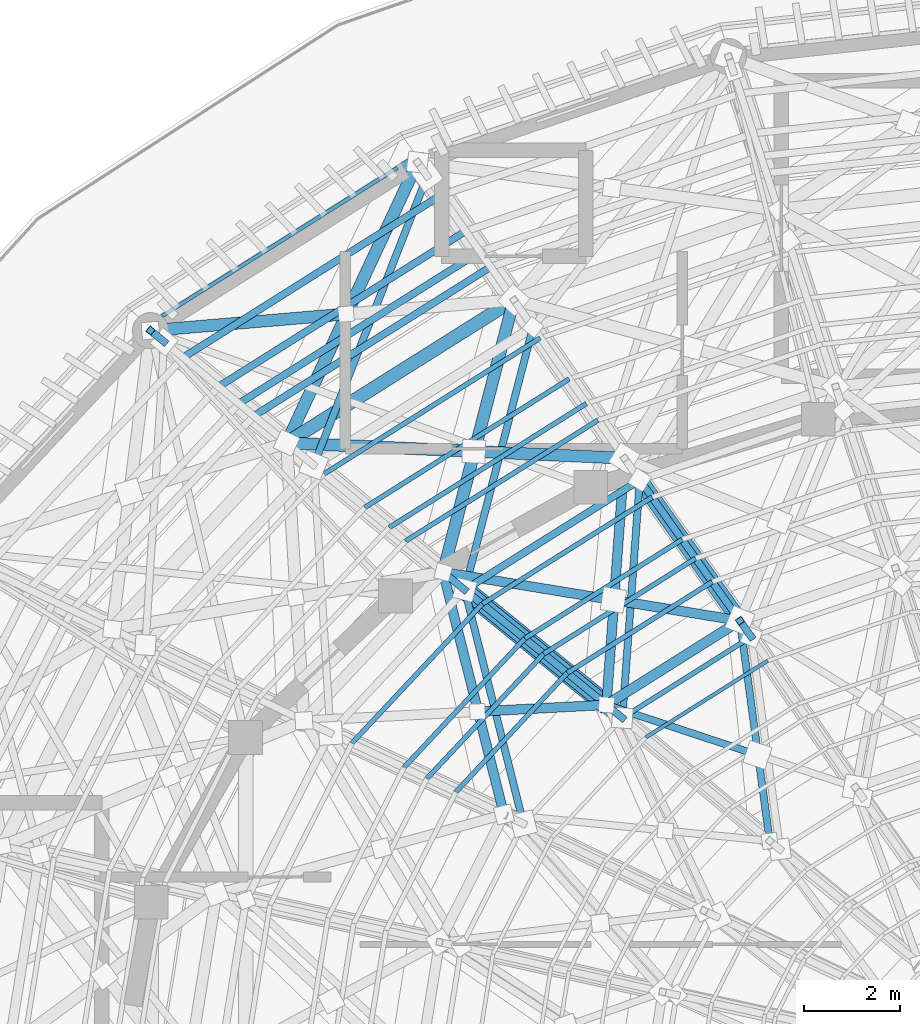
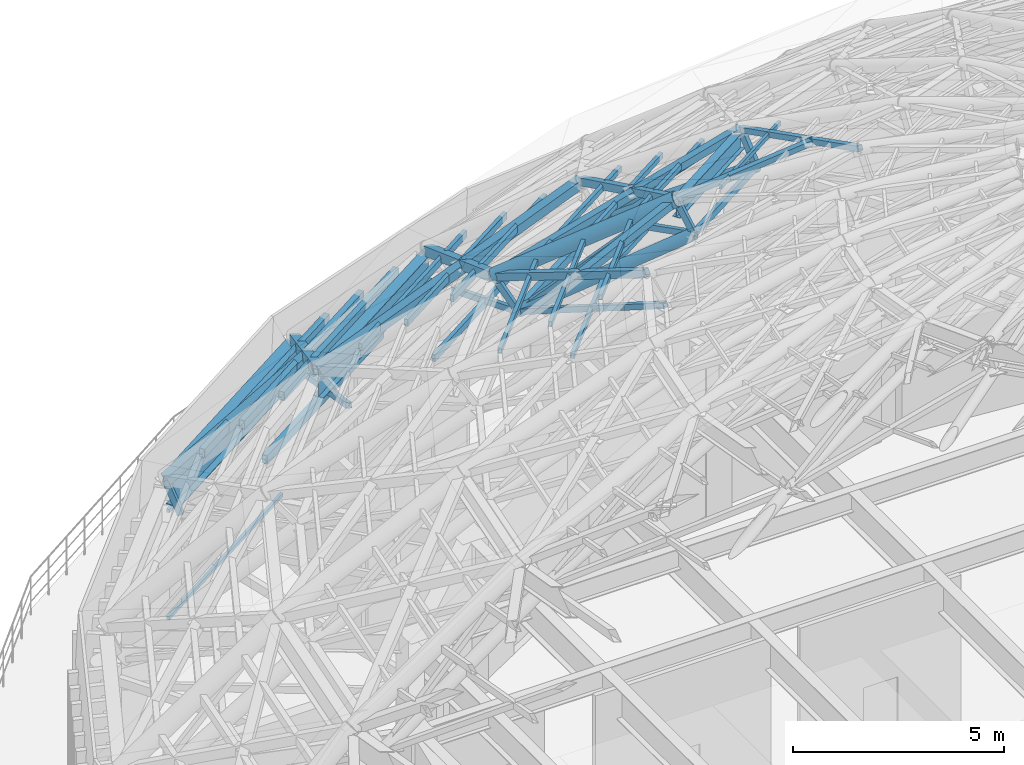
# One storey, part 27 of 50: 46 members, 3 beams.
"""IFC4 building model written with IfcOpenShell, lengths in metres."""

from ifc_helpers import new_model, si_unit, direction, frame, origin, origin_2d, place, context, subcontext, project, spatial, rectangle, hollow_rectangle, hollow_circle, i_section, extrude, material, material_profile, profile_set, type_object, element, save


model = new_model("IFC4")

# Units and contexts
model_context = context("Model", 3, precision=1e-05, world=origin(), true_north=direction((0.0, 1.0)))
body_context = subcontext(model_context, "Body", "Model", "MODEL_VIEW")
ifc_project = project(units=[si_unit("LENGTHUNIT", "METRE"), si_unit("AREAUNIT", "SQUARE_METRE"), si_unit("VOLUMEUNIT", "CUBIC_METRE"), si_unit("PLANEANGLEUNIT", "RADIAN"), si_unit("MASSUNIT", "GRAM", prefix="KILO")], contexts=[model_context])

# Site, building, storey
site_placement = place(None, origin())
site = spatial("IfcSite", under=ifc_project, at=site_placement, CompositionType="ELEMENT")
building_placement = place(site_placement, origin())
building = spatial("IfcBuilding", under=site, at=building_placement, Name="Cinderbank Siding Concert Hall", CompositionType="ELEMENT")
storey_placement = place(building_placement, frame((0.0, 0.0, 23.699951171875)))
storey = spatial("IfcBuildingStorey", under=building, at=storey_placement, Name="L06", CompositionType="ELEMENT", Elevation=23.699951171875)

# Beams
ifc_material_1 = material(Name="Structural steel AS/NZS 3679.1 Grade 350 (340 MPa)", Category="steel")
ifc_material_profile_1 = material_profile(ifc_material_1, i_section(OverallWidth=0.208984375, OverallDepth=0.532958984375, WebThickness=0.01025390625, FlangeThickness=0.015625, at=origin_2d()), Name="530UB92.4", Category="LoadBearing")
ifc_profile_set_1 = profile_set([ifc_material_profile_1], Name="Structural steel AS/NZS 3679.1 Grade 350 (340 MPa)")
beam_type_1 = type_object("IfcBeamType", Name="BM-UB530H 530UB92.4", PredefinedType="BEAM", material=ifc_profile_set_1)
beam_1_placement = place(storey_placement, frame((115.300048828125, 53.5263671875, 13.733642578125), z_axis=(-0.846132136799, -0.532973176694, 0.0), x_axis=(0.532973176694, -0.846132136799, 0.0)))
element("IfcBeam", 1, at=beam_1_placement, inside=storey, type_object=beam_type_1, Name="L06 Beam BM-UB530H #2079", PredefinedType="BEAM", context=body_context, shape_type="SweptSolid", body=[
    extrude(i_section(OverallWidth=0.208984375, OverallDepth=0.532958984375, WebThickness=0.01025390625, FlangeThickness=0.015625, at=origin_2d()), origin(), (0.0, 0.0, 1.0), 3.27978515625),
])
ifc_material_2 = material(Name="Structural steel welded plate section AS/NZS 3679.2 / AS/NZS 3678 Grade 350 (340 MPa)", Category="steel")
ifc_material_profile_2 = material_profile(ifc_material_2, i_section(OverallWidth=0.35009765625, OverallDepth=1.0, WebThickness=0.013916015625, FlangeThickness=0.02490234375, at=origin_2d()), Name="1000WB258", Category="LoadBearing")
ifc_profile_set_2 = profile_set([ifc_material_profile_2], Name="Structural steel welded plate section AS/NZS 3679.2 / AS/NZS 3678 Grade 350 (340 MPa)")
beam_type_2 = type_object("IfcBeamType", Name="BM-WB1000 1000WB258", PredefinedType="BEAM", material=ifc_profile_set_2)
beam_2_placement = place(storey_placement, frame((108.515380859375, 62.999267578125, 4.0), z_axis=(-0.846129105175, -0.532977989578, 0.0), x_axis=(0.532977989578, -0.846129105175, 0.0)))
element("IfcBeam", 2, at=beam_2_placement, inside=storey, type_object=beam_type_2, Name="L06 Beam BM-WB1000 #824", PredefinedType="BEAM", context=body_context, shape_type="SweptSolid", body=[
    extrude(i_section(OverallWidth=0.35009765625, OverallDepth=1.0, WebThickness=0.013916015625, FlangeThickness=0.02490234375, at=origin_2d()), origin(), (0.0, 0.0, 1.0), 6.0927734375),
])
ifc_material_profile_3 = material_profile(ifc_material_2, i_section(OverallWidth=0.27490234375, OverallDepth=0.800048828125, WebThickness=0.010009765625, FlangeThickness=0.01611328125, at=origin_2d()), Name="800WB146", Category="LoadBearing")
ifc_profile_set_3 = profile_set([ifc_material_profile_3], Name="Structural steel welded plate section AS/NZS 3679.2 / AS/NZS 3678 Grade 350 (340 MPa)")
beam_type_3 = type_object("IfcBeamType", Name="BM-WB800 800WB146", PredefinedType="BEAM", material=ifc_profile_set_3)
beam_3_placement = place(storey_placement, frame((110.60009765625, 60.194580078125, 7.699951171875), z_axis=(-0.846357040172, -0.532615959723, 0.0), x_axis=(0.532615959723, -0.846357040172, 0.0)))
element("IfcBeam", 3, at=beam_3_placement, inside=storey, type_object=beam_type_3, Name="L06 Beam BM-WB800 #2041", PredefinedType="BEAM", context=body_context, shape_type="SweptSolid", body=[
    extrude(i_section(OverallWidth=0.27490234375, OverallDepth=0.800048828125, WebThickness=0.010009765625, FlangeThickness=0.01611328125, at=origin_2d()), origin(), (0.0, 0.0, 1.0), 5.579345703125),
])

# Members
ifc_material_3 = material(Name="Structural steel hollow section AS/NZS 1163 Grade C350L0 (350 MPa)", Category="steel")
ifc_material_profile_4 = material_profile(ifc_material_3, hollow_rectangle(XDim=0.14990234375, YDim=0.14990234375, WallThickness=0.008056640625, at=origin_2d()), Name="150x150x8.0SHS", Category="LoadBearing")
ifc_profile_set_4 = profile_set([ifc_material_profile_4], Name="Structural steel hollow section AS/NZS 1163 Grade C350L0 (350 MPa)")
member_type_1 = type_object("IfcMemberType", Name="BR-SHS150 150x150x8.0SHS Roof Truss", PredefinedType="BRACE", material=ifc_profile_set_4)
member_1_placement = place(storey_placement, frame((108.801025390625, 62.766845703125, 3.550048828125), z_axis=(-0.319214358901, -0.812870015153, 0.48718018385), x_axis=(0.930801146267, -0.365525958187, 0.0)))
element("IfcMember", 4, at=member_1_placement, inside=storey, type_object=member_type_1, Name="L06 Diagonal Brace BR-SHS150 #DBRI-BR-SHS150-L06-0635", PredefinedType="BRACE", context=body_context, shape_type="SweptSolid", body=[
    extrude(hollow_rectangle(XDim=0.14990234375, YDim=0.14990234375, WallThickness=0.008056640625, at=origin_2d()), origin(), (0.0, 0.0, 1.0), 7.3896484375),
])
member_2_placement = place(storey_placement, frame((103.333740234375, 59.322998046875, 3.550048828125), z_axis=(-0.27897780154, 0.229126098172, 0.932562393293), x_axis=(-0.63468279093, -0.772772770546, 0.0)))
element("IfcMember", 5, at=member_2_placement, inside=storey, type_object=member_type_1, Name="L06 Diagonal Brace BR-SHS150 #DWBV-BR-SHS150-L06-0641", PredefinedType="BRACE", context=body_context, shape_type="SweptSolid", body=[
    extrude(hollow_rectangle(XDim=0.14990234375, YDim=0.14990234375, WallThickness=0.008056640625, at=origin_2d()), origin(), (0.0, 0.0, 1.0), 1.0185546875),
])
member_3_placement = place(storey_placement, frame((110.9990234375, 59.6279296875, 7.150146484375), z_axis=(-0.218609609526, -0.841918000325, 0.493339557862), x_axis=(0.967903390701, -0.251322554238, 0.0)))
element("IfcMember", 6, at=member_3_placement, inside=storey, type_object=member_type_1, Name="L06 Diagonal Brace BR-SHS150 #DBRI-BR-SHS150-L06-0923", PredefinedType="BRACE", context=body_context, shape_type="SweptSolid", body=[
    extrude(hollow_rectangle(XDim=0.14990234375, YDim=0.14990234375, WallThickness=0.008056640625, at=origin_2d()), origin(), (0.0, 0.0, 1.0), 6.486328125),
])
member_4_placement = place(storey_placement, frame((113.218505859375, 56.4521484375, 10.35009765625), z_axis=(0.406548227024, -0.57143724521, 0.712866056065), x_axis=(0.814825428758, 0.579706409011, 0.0)))
element("IfcMember", 7, at=member_4_placement, inside=storey, type_object=member_type_1, Name="L06 Diagonal Brace BR-SHS150 #DWBD-BR-SHS150-L06-1202", PredefinedType="BRACE", context=body_context, shape_type="SweptSolid", body=[
    extrude(hollow_rectangle(XDim=0.14990234375, YDim=0.14990234375, WallThickness=0.008056640625, at=origin_2d()), origin(), (0.0, 0.0, 1.0), 5.1201171875),
])
member_5_placement = place(storey_placement, frame((113.218505859375, 56.4521484375, 10.35009765625), z_axis=(-0.064117576475, -0.87594207645, 0.478136397999), x_axis=(0.997331713368, -0.073003106166, 0.0)))
element("IfcMember", 8, at=member_5_placement, inside=storey, type_object=member_type_1, Name="L06 Diagonal Brace BR-SHS150 #DBRI-BR-SHS150-L06-1211", PredefinedType="BRACE", context=body_context, shape_type="SweptSolid", body=[
    extrude(hollow_rectangle(XDim=0.14990234375, YDim=0.14990234375, WallThickness=0.008056640625, at=origin_2d()), origin(), (0.0, 0.0, 1.0), 5.646728515625),
])
member_6_placement = place(storey_placement, frame((109.5810546875, 54.1669921875, 10.35009765625), z_axis=(0.559402260271, -0.45390543328, 0.693569728898), x_axis=(0.630083355632, 0.776527504314, 0.0)))
element("IfcMember", 9, at=member_6_placement, inside=storey, type_object=member_type_1, Name="L06 Diagonal Brace BR-SHS150 #DWBD-BR-SHS150-L06-1214", PredefinedType="BRACE", context=body_context, shape_type="SweptSolid", body=[
    extrude(hollow_rectangle(XDim=0.14990234375, YDim=0.14990234375, WallThickness=0.008056640625, at=origin_2d()), origin(), (0.0, 0.0, 1.0), 5.262451171875),
])
member_7_placement = place(storey_placement, frame((109.5810546875, 54.1669921875, 10.35009765625), z_axis=(-0.404280440723, 0.331093629232, 0.852604441655), x_axis=(-0.633603073906, -0.773658286801, 0.0)))
element("IfcMember", 10, at=member_7_placement, inside=storey, type_object=member_type_1, Name="L06 Diagonal Brace BR-SHS150 #DWBV-BR-SHS150-L06-1217", PredefinedType="BRACE", context=body_context, shape_type="SweptSolid", body=[
    extrude(hollow_rectangle(XDim=0.14990234375, YDim=0.14990234375, WallThickness=0.008056640625, at=origin_2d()), origin(), (0.0, 0.0, 1.0), 1.1142578125),
])
member_8_placement = place(storey_placement, frame((109.5810546875, 54.1669921875, 10.35009765625), z_axis=(0.214436675536, -0.853800278028, 0.474385916133), x_axis=(0.969878223295, 0.24359029533, 0.0)))
element("IfcMember", 11, at=member_8_placement, inside=storey, type_object=member_type_1, Name="L06 Diagonal Brace BR-SHS150 #DBRI-BR-SHS150-L06-1223", PredefinedType="BRACE", context=body_context, shape_type="SweptSolid", body=[
    extrude(hollow_rectangle(XDim=0.14990234375, YDim=0.14990234375, WallThickness=0.008056640625, at=origin_2d()), origin(), (0.0, 0.0, 1.0), 5.69140625),
])
member_9_placement = place(storey_placement, frame((115.534423828125, 53.19287109375, 13.050048828125), z_axis=(-0.226731640605, 0.322620230278, 0.918971680828), x_axis=(-0.81816123583, -0.574988862662, 0.0)))
element("IfcMember", 12, at=member_9_placement, inside=storey, type_object=member_type_1, Name="L06 Diagonal Brace BR-SHS150 #DWBV-BR-SHS150-L06-1493", PredefinedType="BRACE", context=body_context, shape_type="SweptSolid", body=[
    extrude(hollow_rectangle(XDim=0.14990234375, YDim=0.14990234375, WallThickness=0.008056640625, at=origin_2d()), origin(), (0.0, 0.0, 1.0), 1.03369140625),
])
member_10_placement = place(storey_placement, frame((115.300048828125, 53.5263671875, 14.0), z_axis=(0.122973142336, -0.909370621789, 0.397394864702), x_axis=(0.990980101498, 0.13400909833, 0.0)))
element("IfcMember", 13, at=member_10_placement, inside=storey, type_object=member_type_1, Name="L06 Diagonal Brace BR-SHS150 #DBRO-BR-SHS150-L06-1497", PredefinedType="BRACE", context=body_context, shape_type="SweptSolid", body=[
    extrude(hollow_rectangle(XDim=0.14990234375, YDim=0.14990234375, WallThickness=0.008056640625, at=origin_2d()), origin(), (0.0, 0.0, 1.0), 5.03271484375),
])
member_11_placement = place(storey_placement, frame((112.52490234375, 51.7783203125, 14.0), z_axis=(0.891093847418, -0.29550697918, 0.344423257563), x_axis=(0.314766108589, 0.949169266719, 0.0)))
element("IfcMember", 14, at=member_11_placement, inside=storey, type_object=member_type_1, Name="L06 Diagonal Brace BR-SHS150 #DBRO-BR-SHS150-L06-1498", PredefinedType="BRACE", context=body_context, shape_type="SweptSolid", body=[
    extrude(hollow_rectangle(XDim=0.14990234375, YDim=0.14990234375, WallThickness=0.008056640625, at=origin_2d()), origin(), (0.0, 0.0, 1.0), 3.523681640625),
])
member_12_placement = place(storey_placement, frame((112.8564453125, 51.505859375, 13.050048828125), z_axis=(-0.318062435065, 0.261382678596, 0.911326167039), x_axis=(-0.634909259299, -0.772586715169, 0.0)))
element("IfcMember", 15, at=member_12_placement, inside=storey, type_object=member_type_1, Name="L06 Diagonal Brace BR-SHS150 #DWBV-BR-SHS150-L06-1505", PredefinedType="BRACE", context=body_context, shape_type="SweptSolid", body=[
    extrude(hollow_rectangle(XDim=0.14990234375, YDim=0.14990234375, WallThickness=0.008056640625, at=origin_2d()), origin(), (0.0, 0.0, 1.0), 1.04248046875),
])
ifc_material_profile_5 = material_profile(ifc_material_3, hollow_rectangle(XDim=0.199951171875, YDim=0.199951171875, WallThickness=0.009033203125, at=origin_2d()), Name="200x200x9.0SHS", Category="LoadBearing")
ifc_profile_set_5 = profile_set([ifc_material_profile_5], Name="Structural steel hollow section AS/NZS 1163 Grade C350L0 (350 MPa)")
member_type_2 = type_object("IfcMemberType", Name="BR-SHS200 200x200x9.0SHS Roof Truss", PredefinedType="BRACE", material=ifc_profile_set_5)
member_13_placement = place(storey_placement, frame((112.89990234375, 56.90380859375, 11.300048828125), z_axis=(-0.064596640032, -0.882904857307, 0.465087397207), x_axis=(0.997334229545, -0.072968723282, 0.0)))
element("IfcMember", 16, at=member_13_placement, inside=storey, type_object=member_type_2, Name="L06 Diagonal Brace BR-SHS200 #DBRO-BR-SHS200-L06-1209", PredefinedType="BRACE", context=body_context, shape_type="SweptSolid", body=[
    extrude(hollow_rectangle(XDim=0.199951171875, YDim=0.199951171875, WallThickness=0.009033203125, at=origin_2d()), origin(), (0.0, 0.0, 1.0), 5.80517578125),
])
member_14_placement = place(storey_placement, frame((109.130615234375, 54.535888671875, 11.300048828125), z_axis=(0.905988027442, -0.148227590088, 0.396502554429), x_axis=(0.161462050118, 0.98687892184, 0.0)))
element("IfcMember", 17, at=member_14_placement, inside=storey, type_object=member_type_2, Name="L06 Diagonal Brace BR-SHS200 #DBRO-BR-SHS200-L06-1210", PredefinedType="BRACE", context=body_context, shape_type="SweptSolid", body=[
    extrude(hollow_rectangle(XDim=0.199951171875, YDim=0.199951171875, WallThickness=0.009033203125, at=origin_2d()), origin(), (0.0, 0.0, 1.0), 3.90673828125),
])
member_15_placement = place(storey_placement, frame((112.697265625, 53.9521484375, 12.86083984375), z_axis=(0.905983058985, -0.148206965094, 0.396521616473), x_axis=(0.16144103148, 0.986882360443, 0.0)))
element("IfcMember", 18, at=member_15_placement, inside=storey, type_object=member_type_2, Name="L06 Diagonal Brace BR-SHS200 #DBRO-BR-SHS200-L06-1210-S113", PredefinedType="BRACE", context=body_context, shape_type="SweptSolid", body=[
    extrude(hollow_rectangle(XDim=0.199951171875, YDim=0.199951171875, WallThickness=0.009033203125, at=origin_2d()), origin(), (0.0, 0.0, 1.0), 2.872802734375),
])
member_16_placement = place(storey_placement, frame((109.130615234375, 54.535888671875, 11.300048828125), z_axis=(0.216094791752, -0.860499472872, 0.461349865249), x_axis=(0.969884726621, 0.243564400247, 0.0)))
element("IfcMember", 19, at=member_16_placement, inside=storey, type_object=member_type_2, Name="L06 Diagonal Brace BR-SHS200 #DBRO-BR-SHS200-L06-1221", PredefinedType="BRACE", context=body_context, shape_type="SweptSolid", body=[
    extrude(hollow_rectangle(XDim=0.199951171875, YDim=0.199951171875, WallThickness=0.009033203125, at=origin_2d()), origin(), (0.0, 0.0, 1.0), 5.852294921875),
])
member_17_placement = place(storey_placement, frame((109.87158203125, 51.6396484375, 12.860595703125), z_axis=(0.917802828607, 0.047967611948, 0.39412824817), x_axis=(-0.052192293555, 0.998637053435, 0.0)))
element("IfcMember", 20, at=member_17_placement, inside=storey, type_object=member_type_2, Name="L06 Diagonal Brace BR-SHS200 #DBRO-BR-SHS200-L06-1222-S114", PredefinedType="BRACE", context=body_context, shape_type="SweptSolid", body=[
    extrude(hollow_rectangle(XDim=0.199951171875, YDim=0.199951171875, WallThickness=0.009033203125, at=origin_2d()), origin(), (0.0, 0.0, 1.0), 2.890869140625),
])
ifc_material_profile_6 = material_profile(ifc_material_3, hollow_rectangle(XDim=0.25, YDim=0.25, WallThickness=0.010009765625, at=origin_2d()), Name="250x250x10.0SHS", Category="LoadBearing")
ifc_profile_set_6 = profile_set([ifc_material_profile_6], Name="Structural steel hollow section AS/NZS 1163 Grade C350L0 (350 MPa)")
member_type_3 = type_object("IfcMemberType", Name="BR-SHS250 250x250x10.0SHS Roof Truss", PredefinedType="BRACE", material=ifc_profile_set_6)
member_18_placement = place(storey_placement, frame((108.60009765625, 63.052490234375, 4.5), z_axis=(-0.36922839474, -0.790711713866, 0.488308691376), x_axis=(0.906082293355, -0.42310149807, 0.0)))
element("IfcMember", 21, at=member_18_placement, inside=storey, type_object=member_type_3, Name="L06 Diagonal Brace BR-SHS250 #DBRO-BR-SHS250-L06-0633", PredefinedType="BRACE", context=body_context, shape_type="SweptSolid", body=[
    extrude(hollow_rectangle(XDim=0.25, YDim=0.25, WallThickness=0.010009765625, at=origin_2d()), origin(), (0.0, 0.0, 1.0), 7.37255859375),
])
member_19_placement = place(storey_placement, frame((103.049560546875, 59.556396484375, 4.5), z_axis=(0.900022083522, 0.076091695304, 0.429150676429), x_axis=(-0.084243714025, 0.996445179951, 0.0)))
element("IfcMember", 22, at=member_19_placement, inside=storey, type_object=member_type_3, Name="L06 Diagonal Brace BR-SHS250 #DBRO-BR-SHS250-L06-0634", PredefinedType="BRACE", context=body_context, shape_type="SweptSolid", body=[
    extrude(hollow_rectangle(XDim=0.25, YDim=0.25, WallThickness=0.010009765625, at=origin_2d()), origin(), (0.0, 0.0, 1.0), 4.517578125),
])
member_20_placement = place(storey_placement, frame((110.60009765625, 60.194580078125, 8.10009765625), z_axis=(-0.220483365495, -0.849038618616, 0.480125514462), x_axis=(0.96789650195, -0.251349082977, 0.0)))
element("IfcMember", 23, at=member_20_placement, inside=storey, type_object=member_type_3, Name="L06 Diagonal Brace BR-SHS250 #DBRO-BR-SHS250-L06-0921", PredefinedType="BRACE", context=body_context, shape_type="SweptSolid", body=[
    extrude(hollow_rectangle(XDim=0.25, YDim=0.25, WallThickness=0.010009765625, at=origin_2d()), origin(), (0.0, 0.0, 1.0), 6.664794921875),
])
member_21_placement = place(storey_placement, frame((105.8779296875, 57.222900390625, 8.10009765625), z_axis=(0.909202593145, -0.041298869279, 0.414300673443), x_axis=(0.045376388225, 0.998969961206, 0.0)))
element("IfcMember", 24, at=member_21_placement, inside=storey, type_object=member_type_3, Name="L06 Diagonal Brace BR-SHS250 #DBRO-BR-SHS250-L06-0922", PredefinedType="BRACE", context=body_context, shape_type="SweptSolid", body=[
    extrude(hollow_rectangle(XDim=0.25, YDim=0.25, WallThickness=0.010009765625, at=origin_2d()), origin(), (0.0, 0.0, 1.0), 4.280029296875),
])
member_22_placement = place(storey_placement, frame((109.79638671875, 57.044921875, 9.8857421875), z_axis=(0.909188573793, -0.041339757367, 0.414327360603), x_axis=(0.04542191957, 0.998967891988, 0.0)))
element("IfcMember", 25, at=member_22_placement, inside=storey, type_object=member_type_3, Name="L06 Diagonal Brace BR-SHS250 #DBRO-BR-SHS250-L06-0922-S89", PredefinedType="BRACE", context=body_context, shape_type="SweptSolid", body=[
    extrude(hollow_rectangle(XDim=0.25, YDim=0.25, WallThickness=0.010009765625, at=origin_2d()), origin(), (0.0, 0.0, 1.0), 3.41357421875),
])
ifc_material_profile_7 = material_profile(ifc_material_3, hollow_circle(Radius=0.161865234375, WallThickness=0.0126953125, at=origin_2d()), Name="323.9x12.7CHS", Category="LoadBearing")
ifc_profile_set_7 = profile_set([ifc_material_profile_7], Name="Structural steel hollow section AS/NZS 1163 Grade C350L0 (350 MPa)")
member_type_4 = type_object("IfcMemberType", Name="DR-CHS323 323.9x12.7CHS Roof Truss", PredefinedType="RAFTER", material=ifc_profile_set_7)
member_23_placement = place(storey_placement, frame((113.218505859375, 56.4521484375, 10.35009765625), z_axis=(0.480029640001, -0.675563535105, 0.55962974792), x_axis=(0.815166751467, 0.57922635239, 0.0)))
element("IfcMember", 26, at=member_23_placement, inside=storey, type_object=member_type_4, Name="L06 Roof Truss Member DR-CHS323 #1201", PredefinedType="RAFTER", context=body_context, shape_type="SweptSolid", body=[
    extrude(hollow_circle(Radius=0.161865234375, WallThickness=0.0126953125, at=origin_2d()), origin(), (0.0, 0.0, 1.0), 4.824462890625),
])
member_24_placement = place(storey_placement, frame((109.5810546875, 54.1669921875, 10.35009765625), z_axis=(0.653777773802, -0.531170075614, 0.53891833635), x_axis=(0.630575201595, 0.776128156385, 0.0)))
element("IfcMember", 27, at=member_24_placement, inside=storey, type_object=member_type_4, Name="L06 Roof Truss Member DR-CHS323 #1213", PredefinedType="RAFTER", context=body_context, shape_type="SweptSolid", body=[
    extrude(hollow_circle(Radius=0.161865234375, WallThickness=0.0126953125, at=origin_2d()), origin(), (0.0, 0.0, 1.0), 5.010009765625),
])
ifc_material_profile_8 = material_profile(ifc_material_3, hollow_circle(Radius=0.203125, WallThickness=0.01611328125, at=origin_2d()), Name="406.4x16.0CHS", Category="LoadBearing")
ifc_profile_set_8 = profile_set([ifc_material_profile_8], Name="Structural steel hollow section AS/NZS 1163 Grade C350L0 (350 MPa)")
member_type_5 = type_object("IfcMemberType", Name="DR-CHS406 406.4x16.0CHS Roof Truss", PredefinedType="RAFTER", material=ifc_profile_set_8)
member_25_placement = place(storey_placement, frame((109.130615234375, 54.535888671875, 11.300048828125), z_axis=(0.66042333152, -0.536537547977, 0.525327024619), x_axis=(0.630552692376, 0.776146443745, 0.0)))
element("IfcMember", 28, at=member_25_placement, inside=storey, type_object=member_type_5, Name="L06 Roof Truss Member DR-CHS406 #1212", PredefinedType="RAFTER", context=body_context, shape_type="SweptSolid", body=[
    extrude(hollow_circle(Radius=0.203125, WallThickness=0.01611328125, at=origin_2d()), origin(), (0.0, 0.0, 1.0), 5.1396484375),
])
ifc_material_4 = material(Name="Anodised aluminium alloy 6063-T6", Category="aluminium")
ifc_material_profile_9 = material_profile(ifc_material_4, rectangle(XDim=0.080078125, YDim=0.10009765625, at=origin_2d()), Name="ALU-RAIL-80x100", Category="LoadBearing")
ifc_profile_set_9 = profile_set([ifc_material_profile_9], Name="Anodised aluminium alloy 6063-T6")
member_type_6 = type_object("IfcMemberType", Name="LV-RL1 Carrier Rail 80x100", PredefinedType="STUD", material=ifc_profile_set_9)
for number, where, z_axis, x_axis, name in (
    (29, (108.18115234375, 62.939697265625, 0.219970703125), (-0.84612066394, -0.532991390225, 0.0), (0.532991390225, -0.84612066394, 0.0), "L06 Louvre Carrier Rail 09 BOT"),
    (30, (108.18115234375, 62.939697265625, 3.320068359375), (-0.84612066394, -0.532991390225, 0.0), (0.532991390225, -0.84612066394, 0.0), "L06 Louvre Carrier Rail 09 TOP"),
):
    element("IfcMember", number, at=place(storey_placement, frame(where, z_axis=z_axis, x_axis=x_axis)), inside=storey, type_object=member_type_6, Name=name, PredefinedType="STUD", context=body_context, shape_type="SweptSolid", body=[
        extrude(rectangle(XDim=0.080078125, YDim=0.10009765625, at=origin_2d()), origin(), (0.0, 0.0, 1.0), 5.77978515625),
    ])
ifc_material_profile_10 = material_profile(ifc_material_3, hollow_rectangle(XDim=0.074951171875, YDim=0.125, WallThickness=0.0048828125, at=origin_2d()), Name="125x75x5.0RHS", Category="LoadBearing")
ifc_profile_set_10 = profile_set([ifc_material_profile_10], Name="Structural steel hollow section AS/NZS 1163 Grade C350L0 (350 MPa)")
member_type_7 = type_object("IfcMemberType", Name="PR-RHS125 125x75x5.0RHS Roof Truss", PredefinedType="PURLIN", material=ifc_profile_set_10)
member_26_placement = place(storey_placement, frame((115.8759765625, 52.69482421875, 14.47998046875), z_axis=(-0.846484441665, -0.532413457775, 0.0), x_axis=(0.532413457775, -0.846484441665, 0.0)))
element("IfcMember", 31, at=member_26_placement, inside=storey, type_object=member_type_7, Name="L06 Roof Truss Member PR-RHS125 #1494", PredefinedType="PURLIN", context=body_context, shape_type="SweptSolid", body=[
    extrude(hollow_rectangle(XDim=0.074951171875, YDim=0.125, WallThickness=0.0048828125, at=origin_2d()), origin(), (0.0, 0.0, 1.0), 2.99658203125),
])
ifc_material_profile_11 = material_profile(ifc_material_3, hollow_rectangle(XDim=0.10009765625, YDim=0.14990234375, WallThickness=0.006103515625, at=origin_2d()), Name="150x100x6.0RHS", Category="LoadBearing")
ifc_profile_set_11 = profile_set([ifc_material_profile_11], Name="Structural steel hollow section AS/NZS 1163 Grade C350L0 (350 MPa)")
member_type_8 = type_object("IfcMemberType", Name="PR-RHS150 150x100x6.0RHS Roof Truss", PredefinedType="PURLIN", material=ifc_profile_set_11)
member_27_placement = place(storey_placement, frame((114.37646484375, 54.822509765625, 11.699951171875), z_axis=(-0.84648739404, -0.532408763763, 0.0), x_axis=(0.532408763763, -0.84648739404, 0.0)))
element("IfcMember", 32, at=member_27_placement, inside=storey, type_object=member_type_8, Name="L06 Roof Truss Member PR-RHS150 #1204", PredefinedType="PURLIN", context=body_context, shape_type="SweptSolid", body=[
    extrude(hollow_rectangle(XDim=0.10009765625, YDim=0.14990234375, WallThickness=0.006103515625, at=origin_2d()), origin(), (0.0, 0.0, 1.0), 3.73046875),
])
member_28_placement = place(storey_placement, frame((113.47607421875, 56.09326171875, 11.947998046875), z_axis=(-0.84664709978, -0.532154759853, 0.0), x_axis=(0.532154759853, -0.84664709978, 0.0)))
element("IfcMember", 33, at=member_28_placement, inside=storey, type_object=member_type_8, Name="L06 Roof Truss Member PR-RHS150 #1206", PredefinedType="PURLIN", context=body_context, shape_type="SweptSolid", body=[
    extrude(hollow_rectangle(XDim=0.10009765625, YDim=0.14990234375, WallThickness=0.006103515625, at=origin_2d()), origin(), (0.0, 0.0, 1.0), 4.170166015625),
])
member_29_placement = place(storey_placement, frame((114.10009765625, 55.215087890625, 12.650146484375), z_axis=(-0.8464869209, -0.532409516018, 0.0), x_axis=(0.532409516018, -0.8464869209, 0.0)))
element("IfcMember", 34, at=member_29_placement, inside=storey, type_object=member_type_8, Name="L06 Roof Truss Member PR-RHS150 #1207", PredefinedType="PURLIN", context=body_context, shape_type="SweptSolid", body=[
    extrude(hollow_rectangle(XDim=0.10009765625, YDim=0.14990234375, WallThickness=0.006103515625, at=origin_2d()), origin(), (0.0, 0.0, 1.0), 3.86572265625),
])
member_30_placement = place(storey_placement, frame((114.72412109375, 54.3369140625, 13.35205078125), z_axis=(-0.846318691941, -0.532676892376, 0.0), x_axis=(0.532676892376, -0.846318691941, 0.0)))
element("IfcMember", 35, at=member_30_placement, inside=storey, type_object=member_type_8, Name="L06 Roof Truss Member PR-RHS150 #1208", PredefinedType="PURLIN", context=body_context, shape_type="SweptSolid", body=[
    extrude(hollow_rectangle(XDim=0.10009765625, YDim=0.14990234375, WallThickness=0.006103515625, at=origin_2d()), origin(), (0.0, 0.0, 1.0), 3.561279296875),
])
member_31_placement = place(storey_placement, frame((111.21875, 52.83642578125, 11.699951171875), z_axis=(-0.683448492996, -0.729998737959, 0.0), x_axis=(0.729998737959, -0.683448492996, 0.0)))
element("IfcMember", 36, at=member_31_placement, inside=storey, type_object=member_type_8, Name="L06 Roof Truss Member PR-RHS150 #1216", PredefinedType="PURLIN", context=body_context, shape_type="SweptSolid", body=[
    extrude(hollow_rectangle(XDim=0.10009765625, YDim=0.14990234375, WallThickness=0.006103515625, at=origin_2d()), origin(), (0.0, 0.0, 1.0), 3.54541015625),
])
member_32_placement = place(storey_placement, frame((109.9453125, 53.8740234375, 11.947998046875), z_axis=(-0.683658272234, -0.729802279255, 0.0), x_axis=(0.729802279255, -0.683658272234, 0.0)))
element("IfcMember", 37, at=member_32_placement, inside=storey, type_object=member_type_8, Name="L06 Roof Truss Member PR-RHS150 #1218", PredefinedType="PURLIN", context=body_context, shape_type="SweptSolid", body=[
    extrude(hollow_rectangle(XDim=0.10009765625, YDim=0.14990234375, WallThickness=0.006103515625, at=origin_2d()), origin(), (0.0, 0.0, 1.0), 3.962890625),
])
member_33_placement = place(storey_placement, frame((110.827880859375, 53.156982421875, 12.650146484375), z_axis=(-0.68346572972, -0.729982599997, 0.0), x_axis=(0.729982599997, -0.68346572972, 0.0)))
element("IfcMember", 38, at=member_33_placement, inside=storey, type_object=member_type_8, Name="L06 Roof Truss Member PR-RHS150 #1219", PredefinedType="PURLIN", context=body_context, shape_type="SweptSolid", body=[
    extrude(hollow_rectangle(XDim=0.10009765625, YDim=0.14990234375, WallThickness=0.006103515625, at=origin_2d()), origin(), (0.0, 0.0, 1.0), 3.673828125),
])
member_34_placement = place(storey_placement, frame((111.710205078125, 52.43994140625, 13.35205078125), z_axis=(-0.683165814119, -0.730263288424, 0.0), x_axis=(0.730263288424, -0.683165814119, 0.0)))
element("IfcMember", 39, at=member_34_placement, inside=storey, type_object=member_type_8, Name="L06 Roof Truss Member PR-RHS150 #1220", PredefinedType="PURLIN", context=body_context, shape_type="SweptSolid", body=[
    extrude(hollow_rectangle(XDim=0.10009765625, YDim=0.14990234375, WallThickness=0.006103515625, at=origin_2d()), origin(), (0.0, 0.0, 1.0), 3.385009765625),
])
ifc_material_profile_12 = material_profile(ifc_material_3, hollow_rectangle(XDim=0.10009765625, YDim=0.199951171875, WallThickness=0.008056640625, at=origin_2d()), Name="200x100x8.0RHS", Category="LoadBearing")
ifc_profile_set_12 = profile_set([ifc_material_profile_12], Name="Structural steel hollow section AS/NZS 1163 Grade C350L0 (350 MPa)")
member_type_9 = type_object("IfcMemberType", Name="PR-RHS200 200x100x8.0RHS Roof Truss", PredefinedType="PURLIN", material=ifc_profile_set_12)
member_35_placement = place(storey_placement, frame((112.10888671875, 58.0400390625, 8.75), z_axis=(-0.846538481915, -0.532327529475, 0.0), x_axis=(0.532327529475, -0.846538481915, 0.0)))
element("IfcMember", 40, at=member_35_placement, inside=storey, type_object=member_type_9, Name="L06 Roof Truss Member PR-RHS200 #916", PredefinedType="PURLIN", context=body_context, shape_type="SweptSolid", body=[
    extrude(hollow_rectangle(XDim=0.10009765625, YDim=0.199951171875, WallThickness=0.008056640625, at=origin_2d()), origin(), (0.0, 0.0, 1.0), 4.83984375),
])
member_36_placement = place(storey_placement, frame((111.152099609375, 59.40478515625, 8.8681640625), z_axis=(-0.846426317262, -0.532505858602, 0.0), x_axis=(0.532505858602, -0.846426317262, 0.0)))
element("IfcMember", 41, at=member_36_placement, inside=storey, type_object=member_type_9, Name="L06 Roof Truss Member PR-RHS200 #918", PredefinedType="PURLIN", context=body_context, shape_type="SweptSolid", body=[
    extrude(hollow_rectangle(XDim=0.10009765625, YDim=0.199951171875, WallThickness=0.008056640625, at=origin_2d()), origin(), (0.0, 0.0, 1.0), 5.30859375),
])
member_37_placement = place(storey_placement, frame((111.75, 58.54931640625, 9.699951171875), z_axis=(-0.846523734458, -0.532350981026, 0.0), x_axis=(0.532350981026, -0.846523734458, 0.0)))
element("IfcMember", 42, at=member_37_placement, inside=storey, type_object=member_type_9, Name="L06 Roof Truss Member PR-RHS200 #919", PredefinedType="PURLIN", context=body_context, shape_type="SweptSolid", body=[
    extrude(hollow_rectangle(XDim=0.10009765625, YDim=0.199951171875, WallThickness=0.008056640625, at=origin_2d()), origin(), (0.0, 0.0, 1.0), 5.015380859375),
])
member_38_placement = place(storey_placement, frame((112.347900390625, 57.693603515625, 10.531982421875), z_axis=(-0.846656516305, -0.532139778065, 0.0), x_axis=(0.532139778065, -0.846656516305, 0.0)))
element("IfcMember", 43, at=member_38_placement, inside=storey, type_object=member_type_9, Name="L06 Roof Truss Member PR-RHS200 #920", PredefinedType="PURLIN", context=body_context, shape_type="SweptSolid", body=[
    extrude(hollow_rectangle(XDim=0.10009765625, YDim=0.199951171875, WallThickness=0.008056640625, at=origin_2d()), origin(), (0.0, 0.0, 1.0), 4.721923828125),
])
member_39_placement = place(storey_placement, frame((115.534423828125, 53.19287109375, 13.050048828125), z_axis=(-0.846107868169, -0.533011702894, 0.0), x_axis=(0.533011702894, -0.846107868169, 0.0)))
element("IfcMember", 44, at=member_39_placement, inside=storey, type_object=member_type_9, Name="L06 Roof Truss Member PR-RHS200 #1203", PredefinedType="PURLIN", context=body_context, shape_type="SweptSolid", body=[
    extrude(hollow_rectangle(XDim=0.10009765625, YDim=0.199951171875, WallThickness=0.008056640625, at=origin_2d()), origin(), (0.0, 0.0, 1.0), 3.1650390625),
])
ifc_material_profile_13 = material_profile(ifc_material_3, hollow_rectangle(XDim=0.14990234375, YDim=0.25, WallThickness=0.009033203125, at=origin_2d()), Name="250x150x9.0RHS", Category="LoadBearing")
ifc_profile_set_13 = profile_set([ifc_material_profile_13], Name="Structural steel hollow section AS/NZS 1163 Grade C350L0 (350 MPa)")
member_type_10 = type_object("IfcMemberType", Name="PR-RHS250 250x150x9.0RHS Roof Truss", PredefinedType="PURLIN", material=ifc_profile_set_13)
member_40_placement = place(storey_placement, frame((109.89990234375, 61.197509765625, 5.35009765625), z_axis=(-0.846208058507, -0.532852626641, 0.0), x_axis=(0.532852626641, -0.846208058507, 0.0)))
element("IfcMember", 45, at=member_40_placement, inside=storey, type_object=member_type_10, Name="L06 Roof Truss Member PR-RHS250 #628", PredefinedType="PURLIN", context=body_context, shape_type="SweptSolid", body=[
    extrude(hollow_rectangle(XDim=0.14990234375, YDim=0.25, WallThickness=0.009033203125, at=origin_2d()), origin(), (0.0, 0.0, 1.0), 5.9228515625),
])
member_41_placement = place(storey_placement, frame((109.080078125, 62.36669921875, 5.364013671875), z_axis=(-0.846182555837, -0.532893124553, 0.0), x_axis=(0.532893124553, -0.846182555837, 0.0)))
element("IfcMember", 46, at=member_41_placement, inside=storey, type_object=member_type_10, Name="L06 Roof Truss Member PR-RHS250 #630", PredefinedType="PURLIN", context=body_context, shape_type="SweptSolid", body=[
    extrude(hollow_rectangle(XDim=0.14990234375, YDim=0.25, WallThickness=0.009033203125, at=origin_2d()), origin(), (0.0, 0.0, 1.0), 6.32470703125),
])
member_42_placement = place(storey_placement, frame((109.60009765625, 61.62353515625, 6.300048828125), z_axis=(-0.846235526957, -0.532809002285, 0.0), x_axis=(0.532809002285, -0.846235526957, 0.0)))
element("IfcMember", 47, at=member_42_placement, inside=storey, type_object=member_type_10, Name="L06 Roof Truss Member PR-RHS250 #631", PredefinedType="PURLIN", context=body_context, shape_type="SweptSolid", body=[
    extrude(hollow_rectangle(XDim=0.14990234375, YDim=0.25, WallThickness=0.009033203125, at=origin_2d()), origin(), (0.0, 0.0, 1.0), 6.069580078125),
])
member_43_placement = place(storey_placement, frame((110.1201171875, 60.880615234375, 7.236083984375), z_axis=(-0.846286123635, -0.532728633493, 0.0), x_axis=(0.532728633493, -0.846286123635, 0.0)))
element("IfcMember", 48, at=member_43_placement, inside=storey, type_object=member_type_10, Name="L06 Roof Truss Member PR-RHS250 #632", PredefinedType="PURLIN", context=body_context, shape_type="SweptSolid", body=[
    extrude(hollow_rectangle(XDim=0.14990234375, YDim=0.25, WallThickness=0.009033203125, at=origin_2d()), origin(), (0.0, 0.0, 1.0), 5.814697265625),
])
member_44_placement = place(storey_placement, frame((113.218505859375, 56.4521484375, 10.35009765625), z_axis=(-0.846766752739, -0.531964346979, 0.0), x_axis=(0.531964346979, -0.846766752739, 0.0)))
element("IfcMember", 49, at=member_44_placement, inside=storey, type_object=member_type_10, Name="L06 Roof Truss Member PR-RHS250 #915", PredefinedType="PURLIN", context=body_context, shape_type="SweptSolid", body=[
    extrude(hollow_rectangle(XDim=0.14990234375, YDim=0.25, WallThickness=0.009033203125, at=origin_2d()), origin(), (0.0, 0.0, 1.0), 4.295654296875),
])

save(model, "model.ifc")
